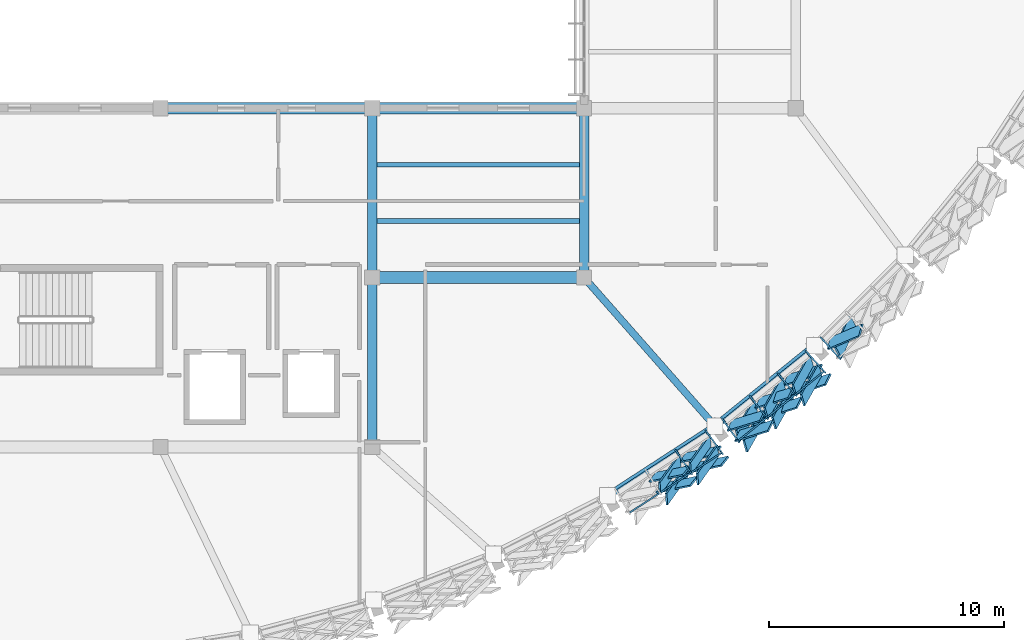
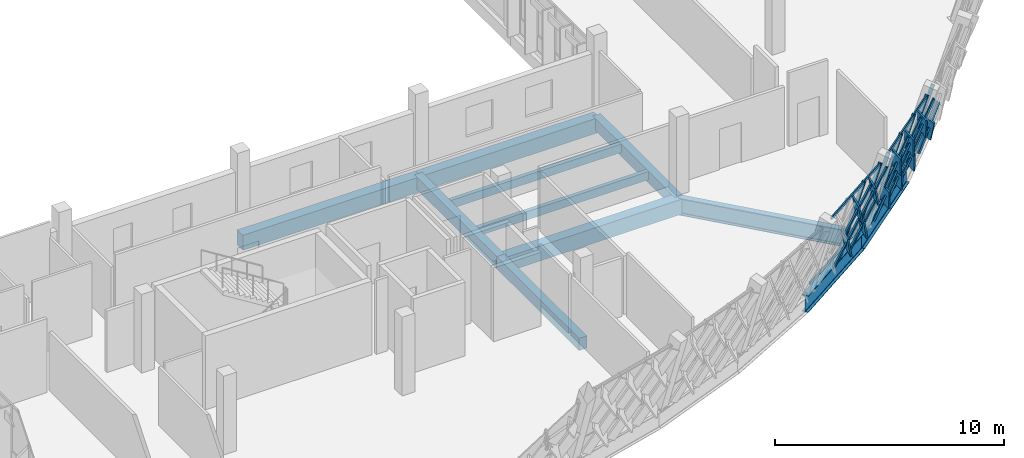
# One storey, part 90 of 182: 34 members, 11 beams, 3 elements without a shape of their own.
"""IFC4 building model written with IfcOpenShell, lengths in metres."""

from ifc_helpers import new_model, si_unit, direction, frame, origin, origin_2d, place, context, subcontext, project, spatial, rectangle, hollow_rectangle, i_section, extrude, material, material_profile, profile_set, type_object, element, aggregate, save


model = new_model("IFC4")

# Units and contexts
model_context = context("Model", 3, precision=1e-05, world=origin(), true_north=direction((0.0, 1.0)))
body_context = subcontext(model_context, "Body", "Model", "MODEL_VIEW")
ifc_project = project(units=[si_unit("LENGTHUNIT", "METRE"), si_unit("AREAUNIT", "SQUARE_METRE"), si_unit("VOLUMEUNIT", "CUBIC_METRE"), si_unit("PLANEANGLEUNIT", "RADIAN"), si_unit("MASSUNIT", "GRAM", prefix="KILO")], contexts=[model_context])

# Site, building, storey
site_placement = place(None, origin())
site = spatial("IfcSite", under=ifc_project, at=site_placement, CompositionType="ELEMENT")
building_placement = place(site_placement, origin())
building = spatial("IfcBuilding", under=site, at=building_placement, Name="Chiffa Square Polytechnic", CompositionType="ELEMENT")
storey_placement = place(building_placement, frame((0.0, 0.0, 9.60009765625)))
storey = spatial("IfcBuildingStorey", under=building, at=storey_placement, Name="L02", CompositionType="ELEMENT", Elevation=9.60009765625)

# Beams
ifc_material_1 = material(Name="Concrete C35/45", Category="concrete")
ifc_material_profile_1 = material_profile(ifc_material_1, rectangle(XDim=0.39990234375, YDim=0.64990234375, at=origin_2d()), Name="RC 400x650")
ifc_profile_set_1 = profile_set([ifc_material_profile_1], Name="Concrete C35/45")
beam_type_1 = type_object("IfcBeamType", Name="BM-RC-400X650", PredefinedType="BEAM", material=ifc_profile_set_1)
beam_1_placement = place(storey_placement, frame((139.199951171875, 14.39990234375, -0.64501953125), z_axis=(0.0, 1.0, 0.0), x_axis=(-1.0, 0.0, 0.0)))
element("IfcBeam", 1, at=beam_1_placement, inside=storey, type_object=beam_type_1, Name="Primary floor girder BM-V1-L02-Y-1392-0144", PredefinedType="BEAM", context=body_context, shape_type="SweptSolid", body=[
    extrude(rectangle(XDim=0.39990234375, YDim=0.64990234375, at=origin_2d()), origin(), (0.0, 0.0, 1.0), 7.2001953125),
])
for number, where, z_axis, x_axis, name in (
    (2, (139.199951171875, 21.60009765625, -0.64501953125), (0.0, 1.0, 0.0), (-1.0, 0.0, 0.0), "Primary floor girder BM-V1-L02-Y-1392-0216"),
    (3, (148.199951171875, 21.60009765625, -0.64501953125), (0.0, 1.0, 0.0), (-1.0, 0.0, 0.0), "Primary floor girder BM-V1-L02-Y-1482-0216"),
):
    element("IfcBeam", number, at=place(storey_placement, frame(where, z_axis=z_axis, x_axis=x_axis)), inside=storey, type_object=beam_type_1, Name=name, PredefinedType="BEAM", context=body_context, shape_type="SweptSolid", body=[
        extrude(rectangle(XDim=0.39990234375, YDim=0.64990234375, at=origin_2d()), origin(), (0.0, 0.0, 1.0), 7.199951171875),
    ])
ifc_material_2 = material(Name="Concrete C40/50", Category="concrete")
ifc_material_profile_2 = material_profile(ifc_material_2, rectangle(XDim=0.5, YDim=0.800048828125, at=origin_2d()), Name="RC 500x800")
ifc_profile_set_2 = profile_set([ifc_material_profile_2], Name="Concrete C40/50")
beam_type_2 = type_object("IfcBeamType", Name="BM-RC-500X800", PredefinedType="BEAM", material=ifc_profile_set_2)
for number, where, z_axis, x_axis, name in (
    (4, (139.199951171875, 21.60009765625, -0.72021484375), (1.0, 0.0, 0.0), (0.0, 1.0, 0.0), "Primary floor girder BM-V1-L02-X-1392-0216"),
    (5, (130.199951171875, 28.800048828125, -0.72021484375), (1.0, 0.0, 0.0), (0.0, 1.0, 0.0), "Primary floor girder BM-V1-L02-X-1302-0288"),
    (6, (139.199951171875, 28.800048828125, -0.72021484375), (1.0, 0.0, 0.0), (0.0, 1.0, 0.0), "Primary floor girder BM-V1-L02-X-1392-0288"),
):
    element("IfcBeam", number, at=place(storey_placement, frame(where, z_axis=z_axis, x_axis=x_axis)), inside=storey, type_object=beam_type_2, Name=name, PredefinedType="BEAM", context=body_context, shape_type="SweptSolid", body=[
        extrude(rectangle(XDim=0.5, YDim=0.800048828125, at=origin_2d()), origin(), (0.0, 0.0, 1.0), 9.0),
    ])

# Curtain wall, members
ifc_material_3 = material(Name="Aluminium EN AW-6060 T66 and glulam shading", Category="wood")
curtain_wall_type_1 = type_object("IfcCurtainWallType", Name="CW-PROW-LEAN-300", PredefinedType="USERDEFINED", material=ifc_material_3)
curtain_wall_1_placement = place(storey_placement, origin())
curtain_wall_1 = element("IfcCurtainWall", 7, at=curtain_wall_1_placement, inside=storey, type_object=curtain_wall_type_1, Name="Outward-leaning diamond-fin prow curtain wall CW-V1-L02-034", ObjectType="CURTAIN WALL", PredefinedType="USERDEFINED")
ifc_material_4 = material(Name="Aluminium EN AW-6060 T66", Category="aluminium")
ifc_material_profile_3 = material_profile(ifc_material_4, hollow_rectangle(XDim=0.06494140625, YDim=0.179931640625, WallThickness=0.00390625, at=origin_2d()), Name="ALU 65x180x4")
ifc_profile_set_3 = profile_set([ifc_material_profile_3], Name="Aluminium EN AW-6060 T66")
member_type_1 = type_object("IfcMemberType", Name="CWM-ALU-75X180", PredefinedType="MULLION", material=ifc_profile_set_3)
member_1_placement = place(storey_placement, frame((152.123046875, 14.215087890625, 0.0), z_axis=(0.151996785446, -0.225520534545, 0.962308404677), x_axis=(0.829239918832, 0.558892795638, 0.0)))
member_1 = element("IfcMember", 8, at=member_1_placement, type_object=member_type_1, Name="Leaning prow mullion CW-V1-L02-034-M02", PredefinedType="MULLION", context=body_context, shape_type="SweptSolid", body=[
    extrude(hollow_rectangle(XDim=0.06494140625, YDim=0.179931640625, WallThickness=0.00390625, at=origin_2d()), origin(), (0.0, 0.0, 1.0), 4.09423828125),
])
member_2_placement = place(storey_placement, frame((153.404052734375, 15.047119140625, 0.0), z_axis=(0.159972813615, -0.220312913271, 0.962221865866), x_axis=(0.809180942213, 0.587559531247, 0.0)))
member_2 = element("IfcMember", 9, at=member_2_placement, type_object=member_type_1, Name="Leaning prow mullion CW-V1-L02-034-M03", PredefinedType="MULLION", context=body_context, shape_type="SweptSolid", body=[
    extrude(hollow_rectangle(XDim=0.06494140625, YDim=0.179931640625, WallThickness=0.00390625, at=origin_2d()), origin(), (0.0, 0.0, 1.0), 4.0947265625),
])

curtain_wall_type_2 = type_object("IfcCurtainWallType", Name="CW-PROW-LEAN-150", PredefinedType="USERDEFINED", material=ifc_material_3)
curtain_wall_2_placement = place(storey_placement, origin())
curtain_wall_2 = element("IfcCurtainWall", 10, at=curtain_wall_2_placement, inside=storey, type_object=curtain_wall_type_2, Name="Outward-leaning diamond-fin prow curtain wall CW-V1-L02-035", ObjectType="CURTAIN WALL", PredefinedType="USERDEFINED")
member_3_placement = place(storey_placement, frame((154.09912109375, 15.552001953125, 0.0), z_axis=(0.159914714051, -0.220315014324, 0.962231042262), x_axis=(0.809285061599, 0.58741611237, 0.0)))
member_3 = element("IfcMember", 11, at=member_3_placement, type_object=member_type_1, Name="Leaning prow mullion CW-V1-L02-035-M00", PredefinedType="MULLION", context=body_context, shape_type="SweptSolid", body=[
    extrude(hollow_rectangle(XDim=0.06494140625, YDim=0.179931640625, WallThickness=0.00390625, at=origin_2d()), origin(), (0.0, 0.0, 1.0), 4.094482421875),
])
member_4_placement = place(storey_placement, frame((155.286376953125, 16.512939453125, 0.0), z_axis=(0.167384896017, -0.214255052151, 0.962328981801), x_axis=(0.788027698805, 0.615639785846, 0.0)))
member_4 = element("IfcMember", 12, at=member_4_placement, type_object=member_type_1, Name="Leaning prow mullion CW-V1-L02-035-M01", PredefinedType="MULLION", context=body_context, shape_type="SweptSolid", body=[
    extrude(hollow_rectangle(XDim=0.06494140625, YDim=0.179931640625, WallThickness=0.00390625, at=origin_2d()), origin(), (0.0, 0.0, 1.0), 4.09423828125),
])
member_5_placement = place(storey_placement, frame((156.4736328125, 17.47412109375, 0.0), z_axis=(0.174778265123, -0.208290849565, 0.962323999507), x_axis=(0.766041744677, 0.642790825551, 0.0)))
member_5 = element("IfcMember", 13, at=member_5_placement, type_object=member_type_1, Name="Leaning prow mullion CW-V1-L02-035-M02", PredefinedType="MULLION", context=body_context, shape_type="SweptSolid", body=[
    extrude(hollow_rectangle(XDim=0.06494140625, YDim=0.179931640625, WallThickness=0.00390625, at=origin_2d()), origin(), (0.0, 0.0, 1.0), 4.09423828125),
])
member_6_placement = place(storey_placement, frame((157.660888671875, 18.43505859375, 0.0), z_axis=(0.182214965706, -0.202249071883, 0.962233349659), x_axis=(0.742945535537, 0.669351873998, 0.0)))
member_6 = element("IfcMember", 14, at=member_6_placement, type_object=member_type_1, Name="Leaning prow mullion CW-V1-L02-035-M03", PredefinedType="MULLION", context=body_context, shape_type="SweptSolid", body=[
    extrude(hollow_rectangle(XDim=0.06494140625, YDim=0.179931640625, WallThickness=0.00390625, at=origin_2d()), origin(), (0.0, 0.0, 1.0), 4.094482421875),
])

# Curtain wall, member
curtain_wall_3_placement = place(storey_placement, origin())
curtain_wall_3 = element("IfcCurtainWall", 15, at=curtain_wall_3_placement, inside=storey, type_object=curtain_wall_type_1, Name="Outward-leaning diamond-fin prow curtain wall CW-V1-L02-036", ObjectType="CURTAIN WALL", PredefinedType="USERDEFINED")
member_7_placement = place(storey_placement, frame((158.299072265625, 19.010009765625, 0.0), z_axis=(0.182157319148, -0.202251268919, 0.962243802423), x_axis=(0.743054462912, 0.669230950529, 0.0)))
member_7 = element("IfcMember", 16, at=member_7_placement, type_object=member_type_1, Name="Leaning prow mullion CW-V1-L02-036-M00", PredefinedType="MULLION", context=body_context, shape_type="SweptSolid", body=[
    extrude(hollow_rectangle(XDim=0.06494140625, YDim=0.179931640625, WallThickness=0.00390625, at=origin_2d()), origin(), (0.0, 0.0, 1.0), 4.094482421875),
])

# Member
ifc_material_5 = material(Name="Glulam GL28h", Category="wood")
ifc_material_profile_4 = material_profile(ifc_material_5, rectangle(XDim=0.080078125, YDim=0.580078125, at=origin_2d()), Name="GL28h 80x580")
ifc_profile_set_4 = profile_set([ifc_material_profile_4], Name="Glulam GL28h")
member_type_2 = type_object("IfcMemberType", Name="CWM-GL-80X580", PredefinedType="MULLION", material=ifc_profile_set_4)
member_8_placement = place(storey_placement, frame((151.123046875, 13.10498046875, 0.039794921875), z_axis=(0.594762081306, 0.118670824474, 0.795094523978), x_axis=(-0.588771195648, 0.737726251157, 0.330315693739)))
member_8 = element("IfcMember", 17, at=member_8_placement, type_object=member_type_2, Name="Diamond glulam fin CW-V1-L02-034-DF03A", PredefinedType="MULLION", context=body_context, shape_type="SweptSolid", body=[
    extrude(rectangle(XDim=0.080078125, YDim=0.580078125, at=origin_2d()), origin(), (0.0, 0.0, 1.0), 2.427490234375),
])

member_9_placement = place(storey_placement, frame((152.262939453125, 13.844970703125, 0.039794921875), z_axis=(-0.350457533029, -0.495065261148, 0.795040819548), x_axis=(0.934700899955, -0.131150442415, 0.330354035964)))
member_9 = element("IfcMember", 18, at=member_9_placement, type_object=member_type_2, Name="Diamond glulam fin CW-V1-L02-034-DF03B", PredefinedType="MULLION", context=body_context, shape_type="SweptSolid", body=[
    extrude(rectangle(XDim=0.080078125, YDim=0.580078125, at=origin_2d()), origin(), (0.0, 0.0, 1.0), 2.427734375),
])

member_10_placement = place(storey_placement, frame((151.412109375, 12.64306640625, 1.969970703125), z_axis=(0.598557689305, 0.121794871184, 0.791766822952), x_axis=(-0.589794114874, 0.735845127217, 0.332678299278)))
member_10 = element("IfcMember", 19, at=member_10_placement, type_object=member_type_2, Name="Diamond glulam fin CW-V1-L02-034-DF04A", PredefinedType="MULLION", context=body_context, shape_type="SweptSolid", body=[
    extrude(rectangle(XDim=0.080078125, YDim=0.580078125, at=origin_2d()), origin(), (0.0, 0.0, 1.0), 2.4375),
])

member_11_placement = place(storey_placement, frame((152.56689453125, 13.39306640625, 1.969970703125), z_axis=(-0.354774233248, -0.497565104434, 0.79155809027), x_axis=(0.93314811368, -0.135873885757, 0.332825607646)))
member_11 = element("IfcMember", 20, at=member_11_placement, type_object=member_type_2, Name="Diamond glulam fin CW-V1-L02-034-DF04B", PredefinedType="MULLION", context=body_context, shape_type="SweptSolid", body=[
    extrude(rectangle(XDim=0.080078125, YDim=0.580078125, at=origin_2d()), origin(), (0.0, 0.0, 1.0), 2.438232421875),
])

member_12_placement = place(storey_placement, frame((152.404052734375, 13.93701171875, 0.039794921875), z_axis=(0.59873066674, 0.122249187975, 0.791565995192), x_axis=(-0.590181368014, 0.735470448035, 0.332820030821)))
member_12 = element("IfcMember", 21, at=member_12_placement, type_object=member_type_2, Name="Diamond glulam fin CW-V1-L02-034-DF05A", PredefinedType="MULLION", context=body_context, shape_type="SweptSolid", body=[
    extrude(rectangle(XDim=0.080078125, YDim=0.580078125, at=origin_2d()), origin(), (0.0, 0.0, 1.0), 2.4384765625),
])

member_13_placement = place(storey_placement, frame((153.5439453125, 14.677978515625, 0.039794921875), z_axis=(-0.344985590086, -0.493442503853, 0.79843561921), x_axis=(0.936512890711, -0.12415496522, 0.327916376752)))
member_13 = element("IfcMember", 22, at=member_13_placement, type_object=member_type_2, Name="Diamond glulam fin CW-V1-L02-034-DF05B", PredefinedType="MULLION", context=body_context, shape_type="SweptSolid", body=[
    extrude(rectangle(XDim=0.080078125, YDim=0.580078125, at=origin_2d()), origin(), (0.0, 0.0, 1.0), 2.41748046875),
])

member_14_placement = place(storey_placement, frame((152.7099609375, 13.485107421875, 1.969970703125), z_axis=(0.602186525203, 0.125763035489, 0.788387625327), x_axis=(-0.591770438564, 0.733177322792, 0.335050386339)))
member_14 = element("IfcMember", 23, at=member_14_placement, type_object=member_type_2, Name="Diamond glulam fin CW-V1-L02-034-DF06A", PredefinedType="MULLION", context=body_context, shape_type="SweptSolid", body=[
    extrude(rectangle(XDim=0.080078125, YDim=0.580078125, at=origin_2d()), origin(), (0.0, 0.0, 1.0), 2.447998046875),
])

member_15_placement = place(storey_placement, frame((153.864013671875, 14.235107421875, 1.969970703125), z_axis=(-0.349920099252, -0.494999105325, 0.79531868447), x_axis=(0.934874686278, -0.130409412757, 0.330155578509)))
member_15 = element("IfcMember", 24, at=member_15_placement, type_object=member_type_2, Name="Diamond glulam fin CW-V1-L02-034-DF06B", PredefinedType="MULLION", context=body_context, shape_type="SweptSolid", body=[
    extrude(rectangle(XDim=0.080078125, YDim=0.580078125, at=origin_2d()), origin(), (0.0, 0.0, 1.0), 2.426513671875),
])

member_16_placement = place(storey_placement, frame((154.406982421875, 15.303955078125, 0.039794921875), z_axis=(0.575845856925, 0.175823857753, 0.798428155883), x_axis=(-0.707509415833, 0.59653958618, 0.378907572671)))
member_16 = element("IfcMember", 25, at=member_16_placement, type_object=member_type_2, Name="Diamond glulam fin CW-V1-L02-035-DF01A", PredefinedType="MULLION", context=body_context, shape_type="SweptSolid", body=[
    extrude(rectangle(XDim=0.080078125, YDim=0.580078125, at=origin_2d()), origin(), (0.0, 0.0, 1.0), 2.41748046875),
])

member_17_placement = place(storey_placement, frame((155.464111328125, 16.159912109375, 0.039794921875), z_axis=(-0.301419219773, -0.531763166866, 0.791438177192), x_axis=(0.92169429465, 0.050073822474, 0.384671599566)))
member_17 = element("IfcMember", 26, at=member_17_placement, type_object=member_type_2, Name="Diamond glulam fin CW-V1-L02-035-DF01B", PredefinedType="MULLION", context=body_context, shape_type="SweptSolid", body=[
    extrude(rectangle(XDim=0.080078125, YDim=0.580078125, at=origin_2d()), origin(), (0.0, 0.0, 1.0), 2.438720703125),
])

member_18_placement = place(storey_placement, frame((154.72900390625, 14.863037109375, 1.969970703125), z_axis=(0.578987772414, 0.17968239123, 0.795290762977), x_axis=(-0.708344829751, 0.593882466719, 0.381511753277)))
member_18 = element("IfcMember", 27, at=member_18_placement, type_object=member_type_2, Name="Diamond glulam fin CW-V1-L02-035-DF02A", PredefinedType="MULLION", context=body_context, shape_type="SweptSolid", body=[
    extrude(rectangle(XDim=0.080078125, YDim=0.580078125, at=origin_2d()), origin(), (0.0, 0.0, 1.0), 2.4267578125),
])

member_19_placement = place(storey_placement, frame((155.799072265625, 15.72900390625, 1.969970703125), z_axis=(-0.305950243717, -0.533817358089, 0.788310520399), x_axis=(0.920943466707, 0.043978090033, 0.387206739001)))
member_19 = element("IfcMember", 28, at=member_19_placement, type_object=member_type_2, Name="Diamond glulam fin CW-V1-L02-035-DF02B", PredefinedType="MULLION", context=body_context, shape_type="SweptSolid", body=[
    extrude(rectangle(XDim=0.080078125, YDim=0.580078125, at=origin_2d()), origin(), (0.0, 0.0, 1.0), 2.4482421875),
])

member_20_placement = place(storey_placement, frame((155.594970703125, 16.26611328125, 0.039794921875), z_axis=(0.579177461657, 0.179918124484, 0.795099324859), x_axis=(-0.708395159333, 0.593720894219, 0.381669749917)))
member_20 = element("IfcMember", 29, at=member_20_placement, type_object=member_type_2, Name="Diamond glulam fin CW-V1-L02-035-DF03A", PredefinedType="MULLION", context=body_context, shape_type="SweptSolid", body=[
    extrude(rectangle(XDim=0.080078125, YDim=0.580078125, at=origin_2d()), origin(), (0.0, 0.0, 1.0), 2.427490234375),
])

member_21_placement = place(storey_placement, frame((156.652099609375, 17.12109375, 0.039794921875), z_axis=(-0.296977205141, -0.529210564611, 0.794821186136), x_axis=(0.922512681681, 0.055887530814, 0.381899117618)))
member_21 = element("IfcMember", 30, at=member_21_placement, type_object=member_type_2, Name="Diamond glulam fin CW-V1-L02-035-DF03B", PredefinedType="MULLION", context=body_context, shape_type="SweptSolid", body=[
    extrude(rectangle(XDim=0.080078125, YDim=0.580078125, at=origin_2d()), origin(), (0.0, 0.0, 1.0), 2.428466796875),
])

member_22_placement = place(storey_placement, frame((155.930908203125, 15.8359375, 1.969970703125), z_axis=(0.582592811393, 0.183781641552, 0.791713284177), x_axis=(-0.708957335653, 0.591252694038, 0.384447328012)))
member_22 = element("IfcMember", 31, at=member_22_placement, type_object=member_type_2, Name="Diamond glulam fin CW-V1-L02-035-DF04A", PredefinedType="MULLION", context=body_context, shape_type="SweptSolid", body=[
    extrude(rectangle(XDim=0.080078125, YDim=0.580078125, at=origin_2d()), origin(), (0.0, 0.0, 1.0), 2.437744140625),
])

member_23_placement = place(storey_placement, frame((157.0009765625, 16.702880859375, 1.969970703125), z_axis=(-0.300687670358, -0.531662276569, 0.79178415529), x_axis=(0.921752959623, 0.051148598793, 0.384389518935)))
member_23 = element("IfcMember", 32, at=member_23_placement, type_object=member_type_2, Name="Diamond glulam fin CW-V1-L02-035-DF04B", PredefinedType="MULLION", context=body_context, shape_type="SweptSolid", body=[
    extrude(rectangle(XDim=0.080078125, YDim=0.580078125, at=origin_2d()), origin(), (0.0, 0.0, 1.0), 2.4375),
])

member_24_placement = place(storey_placement, frame((156.781982421875, 17.22705078125, 0.039794921875), z_axis=(0.58303260451, 0.184068147587, 0.791322879185), x_axis=(-0.708859307871, 0.591163233256, 0.38476553028)))
member_24 = element("IfcMember", 33, at=member_24_placement, type_object=member_type_2, Name="Diamond glulam fin CW-V1-L02-035-DF05A", PredefinedType="MULLION", context=body_context, shape_type="SweptSolid", body=[
    extrude(rectangle(XDim=0.080078125, YDim=0.580078125, at=origin_2d()), origin(), (0.0, 0.0, 1.0), 2.439208984375),
])

member_25_placement = place(storey_placement, frame((157.839111328125, 18.08203125, 0.039794921875), z_axis=(-0.291747714399, -0.526317725768, 0.798669470235), x_axis=(0.923382151436, 0.062825872219, 0.378706102657)))
member_25 = element("IfcMember", 34, at=member_25_placement, type_object=member_type_2, Name="Diamond glulam fin CW-V1-L02-035-DF05B", PredefinedType="MULLION", context=body_context, shape_type="SweptSolid", body=[
    extrude(rectangle(XDim=0.080078125, YDim=0.580078125, at=origin_2d()), origin(), (0.0, 0.0, 1.0), 2.416748046875),
])

member_26_placement = place(storey_placement, frame((157.134033203125, 16.81005859375, 1.969970703125), z_axis=(0.585813547758, 0.187891168535, 0.788365014476), x_axis=(-0.7097780712, 0.58848964207, 0.387162796277)))
member_26 = element("IfcMember", 35, at=member_26_placement, type_object=member_type_2, Name="Diamond glulam fin CW-V1-L02-035-DF06A", PredefinedType="MULLION", context=body_context, shape_type="SweptSolid", body=[
    extrude(rectangle(XDim=0.080078125, YDim=0.580078125, at=origin_2d()), origin(), (0.0, 0.0, 1.0), 2.447998046875),
])

member_27_placement = place(storey_placement, frame((158.2041015625, 17.676025390625, 1.969970703125), z_axis=(-0.296317443635, -0.528743010628, 0.795378401335), x_axis=(0.922652011539, 0.056720875424, 0.381439389543)))
member_27 = element("IfcMember", 36, at=member_27_placement, type_object=member_type_2, Name="Diamond glulam fin CW-V1-L02-035-DF06B", PredefinedType="MULLION", context=body_context, shape_type="SweptSolid", body=[
    extrude(rectangle(XDim=0.080078125, YDim=0.580078125, at=origin_2d()), origin(), (0.0, 0.0, 1.0), 2.426513671875),
])

member_28_placement = place(storey_placement, frame((158.631103515625, 18.7958984375, 0.039794921875), z_axis=(0.554211863519, 0.235398661418, 0.798396317963), x_axis=(-0.796059425435, 0.43012525088, 0.425771839993)))
member_28 = element("IfcMember", 37, at=member_28_placement, type_object=member_type_2, Name="Diamond glulam fin CW-V1-L02-036-DF01A", PredefinedType="MULLION", context=body_context, shape_type="SweptSolid", body=[
    extrude(rectangle(XDim=0.080078125, YDim=0.580078125, at=origin_2d()), origin(), (0.0, 0.0, 1.0), 2.41748046875),
])

member_29_placement = place(storey_placement, frame((159.593017578125, 19.758056640625, 0.039794921875), z_axis=(-0.244329633612, -0.560426717982, 0.791343745734), x_axis=(0.871809945117, 0.230347306366, 0.432304913278)))
member_29 = element("IfcMember", 38, at=member_29_placement, type_object=member_type_2, Name="Diamond glulam fin CW-V1-L02-036-DF01B", PredefinedType="MULLION", context=body_context, shape_type="SweptSolid", body=[
    extrude(rectangle(XDim=0.080078125, YDim=0.580078125, at=origin_2d()), origin(), (0.0, 0.0, 1.0), 2.439208984375),
])

aggregate(curtain_wall_3, [member_7, member_28, member_29])

ifc_material_profile_5 = material_profile(ifc_material_4, hollow_rectangle(XDim=0.06494140625, YDim=0.139892578125, WallThickness=0.00390625, at=origin_2d()), Name="ALU 65x140x4")
ifc_profile_set_5 = profile_set([ifc_material_profile_5], Name="Aluminium EN AW-6060 T66")
member_type_3 = type_object("IfcMemberType", Name="CWT-ALU-75X140", PredefinedType="USERDEFINED", material=ifc_profile_set_5)
member_30_placement = place(storey_placement, frame((149.566650390625, 12.541259765625, 0.039794921875), z_axis=(0.838644353144, 0.544679400143, 0.0), x_axis=(-0.544679400143, 0.838644353144, 0.0)))
member_30 = element("IfcMember", 39, at=member_30_placement, type_object=member_type_3, Name="Leaning prow transom CW-V1-L02-034-T01", ObjectType="TRANSOM", PredefinedType="USERDEFINED", context=body_context, shape_type="SweptSolid", body=[
    extrude(hollow_rectangle(XDim=0.06494140625, YDim=0.139892578125, WallThickness=0.00390625, at=origin_2d()), origin(), (0.0, 0.0, 1.0), 4.58349609375),
])

member_31_placement = place(storey_placement, frame((150.1123046875, 11.5947265625, 3.89990234375), z_axis=(0.838594352545, 0.544756378467, 0.0), x_axis=(-0.544756378467, 0.838594352545, 0.0)))
member_31 = element("IfcMember", 40, at=member_31_placement, type_object=member_type_3, Name="Leaning prow transom CW-V1-L02-034-T03", ObjectType="TRANSOM", PredefinedType="USERDEFINED", context=body_context, shape_type="SweptSolid", body=[
    extrude(hollow_rectangle(XDim=0.06494140625, YDim=0.139892578125, WallThickness=0.00390625, at=origin_2d()), origin(), (0.0, 0.0, 1.0), 4.698486328125),
])

aggregate(curtain_wall_1, [member_1, member_2, member_30, member_31, member_8, member_9, member_10, member_11, member_12, member_13, member_14, member_15])

member_32_placement = place(storey_placement, frame((154.105712890625, 15.542724609375, 0.039794921875), z_axis=(0.777301923245, 0.629127745469, 0.0), x_axis=(-0.629127745469, 0.777301923245, 0.0)))
member_32 = element("IfcMember", 41, at=member_32_placement, type_object=member_type_3, Name="Leaning prow transom CW-V1-L02-035-T01", ObjectType="TRANSOM", PredefinedType="USERDEFINED", context=body_context, shape_type="SweptSolid", body=[
    extrude(hollow_rectangle(XDim=0.06494140625, YDim=0.139892578125, WallThickness=0.00390625, at=origin_2d()), origin(), (0.0, 0.0, 1.0), 4.583740234375),
])

member_33_placement = place(storey_placement, frame((154.240234375, 15.357421875, 0.849853515625), z_axis=(0.777310260316, 0.629117444686, 0.0), x_axis=(-0.629117444686, 0.777310260316, 0.0)))
member_33 = element("IfcMember", 42, at=member_33_placement, type_object=member_type_3, Name="Leaning prow transom CW-V1-L02-035-T02", ObjectType="TRANSOM", PredefinedType="USERDEFINED", context=body_context, shape_type="SweptSolid", body=[
    extrude(hollow_rectangle(XDim=0.06494140625, YDim=0.139892578125, WallThickness=0.00390625, at=origin_2d()), origin(), (0.0, 0.0, 1.0), 4.60791015625),
])

member_34_placement = place(storey_placement, frame((154.747314453125, 14.6591796875, 3.89990234375), z_axis=(0.777261810639, 0.629177302295, 0.0), x_axis=(-0.629177302295, 0.777261810639, 0.0)))
member_34 = element("IfcMember", 43, at=member_34_placement, type_object=member_type_3, Name="Leaning prow transom CW-V1-L02-035-T03", ObjectType="TRANSOM", PredefinedType="USERDEFINED", context=body_context, shape_type="SweptSolid", body=[
    extrude(hollow_rectangle(XDim=0.06494140625, YDim=0.139892578125, WallThickness=0.00390625, at=origin_2d()), origin(), (0.0, 0.0, 1.0), 4.69873046875),
])

aggregate(curtain_wall_2, [member_3, member_4, member_5, member_6, member_32, member_33, member_34, member_16, member_17, member_18, member_19, member_20, member_21, member_22, member_23, member_24, member_25, member_26, member_27])

# Beams
ifc_material_profile_6 = material_profile(ifc_material_5, rectangle(XDim=0.199951171875, YDim=0.43994140625, at=origin_2d()), Name="GL28h 200x440")
ifc_profile_set_6 = profile_set([ifc_material_profile_6], Name="Glulam GL28h")
beam_type_3 = type_object("IfcBeamType", Name="JST-GL-200X440", PredefinedType="JOIST", material=ifc_profile_set_6)
for number, where, z_axis, x_axis, name in (
    (44, (139.39794921875, 24.0, -0.5400390625), (1.0, 0.0, 0.0), (0.0, 1.0, 0.0), "Secondary floor joist JST-V1-L02-1392-0240"),
    (45, (139.39794921875, 26.39990234375, -0.5400390625), (1.0, 0.0, 0.0), (0.0, 1.0, 0.0), "Secondary floor joist JST-V1-L02-1392-0264"),
):
    element("IfcBeam", number, at=place(storey_placement, frame(where, z_axis=z_axis, x_axis=x_axis)), inside=storey, type_object=beam_type_3, Name=name, PredefinedType="JOIST", context=body_context, shape_type="SweptSolid", body=[
        extrude(rectangle(XDim=0.199951171875, YDim=0.43994140625, at=origin_2d()), origin(), (0.0, 0.0, 1.0), 8.60400390625),
    ])
ifc_material_6 = material(Name="Steel S355", Category="steel")
ifc_material_profile_7 = material_profile(ifc_material_6, i_section(OverallWidth=0.300048828125, OverallDepth=0.89990234375, WebThickness=0.0185546875, FlangeThickness=0.031982421875, FilletRadius=0.030029296875, at=origin_2d()), Name="HEB 900")
ifc_profile_set_7 = profile_set([ifc_material_profile_7], Name="Steel S355")
beam_type_4 = type_object("IfcBeamType", Name="TG-STL-HEB900", PredefinedType="USERDEFINED", material=ifc_profile_set_7)
for number, where, z_axis, x_axis, name in (
    (46, (149.199951171875, 12.31689453125, -0.77001953125), (0.838703823122, 0.544587823111, 0.0), (-0.544587823111, 0.838703823122, 0.0), "Prow perimeter transfer girder TG-V1-L02-08"),
    (47, (153.764892578125, 15.281005859375, -0.77001953125), (0.777192640273, 0.629262743141, 0.0), (-0.629262743141, 0.777192640273, 0.0), "Prow perimeter transfer girder TG-V1-L02-09"),
):
    element("IfcBeam", number, at=place(storey_placement, frame(where, z_axis=z_axis, x_axis=x_axis)), inside=storey, type_object=beam_type_4, Name=name, ObjectType="TRANSFER GIRDER", PredefinedType="USERDEFINED", context=body_context, shape_type="SweptSolid", body=[
        extrude(i_section(OverallWidth=0.300048828125, OverallDepth=0.89990234375, WebThickness=0.0185546875, FlangeThickness=0.031982421875, FilletRadius=0.030029296875, at=origin_2d()), origin(), (0.0, 0.0, 1.0), 5.44287109375),
    ])
beam_2_placement = place(storey_placement, frame((153.764892578125, 15.281005859375, -0.77001953125), z_axis=(-0.660904985786, 0.750469586168, 0.0), x_axis=(-0.750469586168, -0.660904985786, 0.0)))
element("IfcBeam", 48, at=beam_2_placement, inside=storey, type_object=beam_type_4, Name="Prow radial transfer girder TG-V1-RAD-L02-09", ObjectType="TRANSFER GIRDER", PredefinedType="USERDEFINED", context=body_context, shape_type="SweptSolid", body=[
    extrude(i_section(OverallWidth=0.300048828125, OverallDepth=0.89990234375, WebThickness=0.0185546875, FlangeThickness=0.031982421875, FilletRadius=0.030029296875, at=origin_2d()), origin(), (0.0, 0.0, 1.0), 8.420166015625),
])

save(model, "model.ifc")
